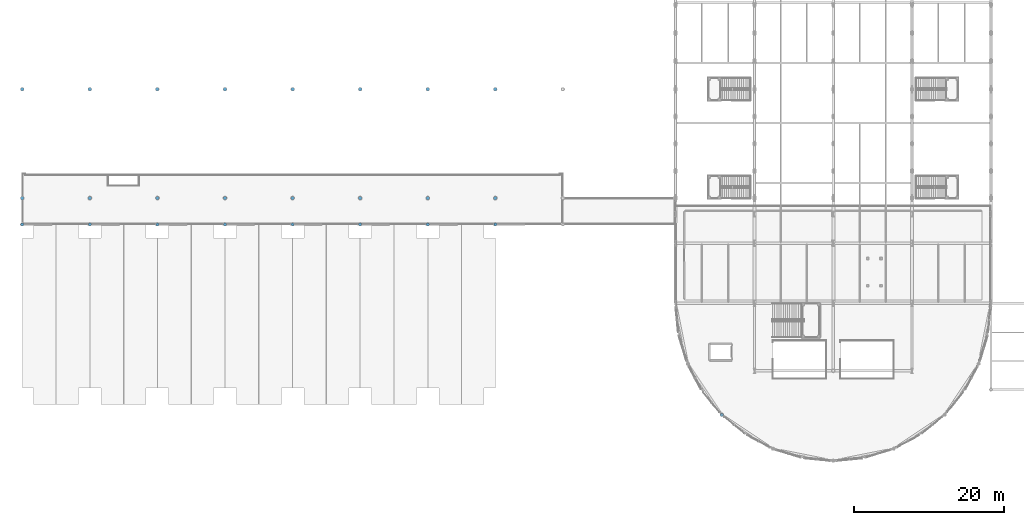
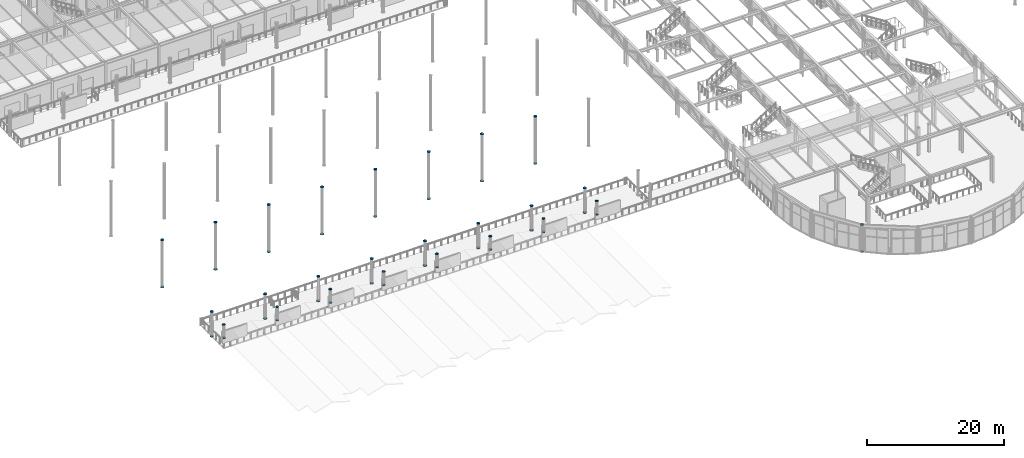
# One storey, part 92 of 143: 50 discrete accessories.
"""IFC4 building model written with IfcOpenShell, lengths in metres."""

import ifcopenshell
import ifcopenshell.guid

model = None  # the IFC model being written
_history = None  # IfcOwnerHistory: only IFC2X3 demands one
_inside = {}  # id of a spatial element -> (the spatial element, [elements in it])
_under = {}  # id of a project, library or spatial element -> (it, [spatial elements below it])
_declared = {}  # id of a project -> (the project, [libraries it declares])
_typed = {}  # id of a type object -> (the type object, [elements of that type])
_made_of = {}  # id of a material, layer set ... -> (it, [elements and type objects made of it])


def new_model(schema):
    """Start an empty IFC model of exactly this schema.

    Asked for "IFC4X3", IfcOpenShell would pick the latest addendum, in which some entities
    have other attributes; the version numbers below select the first issue.
    IFC2X3 requires an IfcOwnerHistory on every rooted entity: one is made here for all.
    """
    global model, _history
    if schema == "IFC4X3":
        model = ifcopenshell.file(schema_version=(4, 3, 0, 0))
    else:
        model = ifcopenshell.file(schema=schema)
    _inside.clear()
    _under.clear()
    _declared.clear()
    _typed.clear()
    _made_of.clear()
    _history = None
    if model.schema == "IFC2X3":
        org = make("IfcOrganization", Name="unknown")
        user = make(
            "IfcPersonAndOrganization",
            ThePerson=make("IfcPerson", FamilyName="unknown"),
            TheOrganization=org,
        )
        app = make(
            "IfcApplication",
            ApplicationDeveloper=org,
            Version="unknown",
            ApplicationFullName="unknown",
            ApplicationIdentifier="unknown",
        )
        _history = make(
            "IfcOwnerHistory",
            OwningUser=user,
            OwningApplication=app,
            ChangeAction="ADDED",
            CreationDate=0,
        )
    return model


def make(cls, **values):
    """One entity of the class cls with the attributes given. An attribute that is None is left unset."""
    return model.create_entity(
        cls, **{name: value for name, value in values.items() if value is not None}
    )


def rooted(cls, **values):
    """An entity with a GlobalId (a new one), such as an element, a storey or a relation."""
    return make(cls, GlobalId=ifcopenshell.guid.new(), OwnerHistory=_history, **values)


def si_unit(unit_type, name, prefix=None):
    """IfcSIUnit, for example si_unit("LENGTHUNIT", "METRE", prefix="MILLI")."""
    return make("IfcSIUnit", UnitType=unit_type, Prefix=prefix, Name=name)


def assignment(units):
    """IfcUnitAssignment: the units of a project."""
    return None if units is None else make("IfcUnitAssignment", Units=units)


def point(xyz):
    """IfcCartesianPoint."""
    return None if xyz is None else make("IfcCartesianPoint", Coordinates=xyz)


def direction(xyz):
    """IfcDirection."""
    return None if xyz is None else make("IfcDirection", DirectionRatios=xyz)


def frame(location, z_axis=None, x_axis=None):
    """IfcAxis2Placement3D, a coordinate frame: its origin and axes. An axis left out is left unset."""
    return make(
        "IfcAxis2Placement3D",
        Location=point(location),
        Axis=direction(z_axis),
        RefDirection=direction(x_axis),
    )


def frame_2d(location, x_axis=None):
    """IfcAxis2Placement2D, a coordinate frame in the plane: its origin and x axis."""
    return make(
        "IfcAxis2Placement2D", Location=point(location), RefDirection=direction(x_axis)
    )


def origin():
    """The frame at (0, 0, 0) with its axes left unset."""
    return frame((0.0, 0.0, 0.0))


def origin_2d():
    """The frame at (0, 0) in the plane with its x axis left unset."""
    return frame_2d((0.0, 0.0))


def place(relative_to, where):
    """IfcLocalPlacement: puts the frame where relative to a parent placement (None: the world)."""
    return make(
        "IfcLocalPlacement", PlacementRelTo=relative_to, RelativePlacement=where
    )


def context(
    kind, dimensions, precision=None, world=None, true_north=None, identifier=None
):
    """IfcGeometricRepresentationContext, for example the 3D "Model" context."""
    return make(
        "IfcGeometricRepresentationContext",
        ContextIdentifier=identifier,
        ContextType=kind,
        CoordinateSpaceDimension=dimensions,
        Precision=precision,
        WorldCoordinateSystem=world,
        TrueNorth=true_north,
    )


def subcontext(parent, identifier, kind, view, scale=None):
    """IfcGeometricRepresentationSubContext, for example "Body" below "Model"."""
    return make(
        "IfcGeometricRepresentationSubContext",
        ContextIdentifier=identifier,
        ContextType=kind,
        ParentContext=parent,
        TargetScale=scale,
        TargetView=view,
    )


def project(units=None, contexts=None):
    """IfcProject with its units and contexts."""
    return rooted(
        "IfcProject",
        Name="project",
        RepresentationContexts=contexts,
        UnitsInContext=assignment(units),
    )


def spatial(cls, under=None, at=None, **own):
    """A site, building, storey or space (cls), placed at a placement, below another one or the project."""
    s = rooted(cls, ObjectPlacement=at, **own)
    if under is not None:
        _under.setdefault(under.id(), (under, []))[1].append(s)
    return s


def profile(cls, at=None, kind="AREA", **sizes):
    """A parametric profile (cls). Its sizes go by their IFC names, for example OverallWidth=200.0."""
    return make(cls, ProfileType=kind, Position=at, **sizes)


def circle(**sizes):
    """IfcCircleProfileDef."""
    return profile("IfcCircleProfileDef", **sizes)


def extrude(swept, where, along, depth):
    """IfcExtrudedAreaSolid: the profile swept, set in the frame where, extruded along a direction by depth."""
    return make(
        "IfcExtrudedAreaSolid",
        SweptArea=swept,
        Position=where,
        ExtrudedDirection=direction(along),
        Depth=depth,
    )


def shape(context_of_items, identifier, shape_type, items):
    """IfcShapeRepresentation: the items that make up one representation, for example the "Body"."""
    return make(
        "IfcShapeRepresentation",
        ContextOfItems=context_of_items,
        RepresentationIdentifier=identifier,
        RepresentationType=shape_type,
        Items=items,
    )


def material(Name=None, Category=None):
    """IfcMaterial."""
    return make("IfcMaterial", Name=Name, Category=Category)


def made_of(thing, what):
    """Note that an element or type object is made of a material, layer set ...; save() writes the relation."""
    if what is not None:
        _made_of.setdefault(what.id(), (what, []))[1].append(thing)
    return thing


def element(
    cls,
    number,
    at=None,
    inside=None,
    cuts=None,
    type_object=None,
    material=None,
    context=None,
    identifier="Body",
    shape_type=None,
    held_by="IfcProductDefinitionShape",
    body=None,
    shapes=None,
    **own,
):
    """One element of the class cls, such as IfcWall. Its Tag is "e" and its number.

    at: its placement. inside: the storey or other place that contains it. cuts: it is an
    opening in that element (IfcRelVoidsElement). A single representation is given by context,
    identifier, shape_type and body (its items); several are given by shapes. held_by: the class
    of the entity that holds the representations. save() writes the other relations.
    """
    e = rooted(cls, Tag="e%d" % number, ObjectPlacement=at, **own)
    if body is not None:
        shapes = [shape(context, identifier, shape_type, body)]
    if shapes is not None:
        e.Representation = make(held_by, Representations=shapes)
    if inside is not None:
        _inside.setdefault(inside.id(), (inside, []))[1].append(e)
    if cuts is not None:
        rooted(
            "IfcRelVoidsElement", RelatingBuildingElement=cuts, RelatedOpeningElement=e
        )
    if type_object is not None:
        _typed.setdefault(type_object.id(), (type_object, []))[1].append(e)
    return made_of(e, material)


def aggregate(whole, parts):
    """IfcRelAggregates: a whole, such as a stair, and the parts it consists of."""
    return rooted("IfcRelAggregates", RelatingObject=whole, RelatedObjects=parts)


def save(model, path):
    """Write the relations noted so far, then the file.

    IfcRelAggregates (storeys below a building ...), IfcRelContainedInSpatialStructure (elements
    in a storey), IfcRelDefinesByType, IfcRelAssociatesMaterial and IfcRelDeclares: one each for
    every whole, place, type object, material and project.
    """
    for whole, parts in _under.values():
        aggregate(whole, parts)
    for where, things in _inside.values():
        rooted(
            "IfcRelContainedInSpatialStructure",
            RelatedElements=things,
            RelatingStructure=where,
        )
    for kind, things in _typed.values():
        rooted("IfcRelDefinesByType", RelatedObjects=things, RelatingType=kind)
    for what, things in _made_of.values():
        rooted("IfcRelAssociatesMaterial", RelatedObjects=things, RelatingMaterial=what)
    for by, libraries in _declared.values():
        rooted("IfcRelDeclares", RelatingContext=by, RelatedDefinitions=libraries)
    model.write(path)


model = new_model("IFC4")

# Units and contexts
model_context = context("Model", 3, precision=1e-05, world=origin(), true_north=direction((0.0, 1.0)))
body_context = subcontext(model_context, "Body", "Model", "MODEL_VIEW")
ifc_project = project(units=[si_unit("LENGTHUNIT", "METRE"), si_unit("AREAUNIT", "SQUARE_METRE"), si_unit("VOLUMEUNIT", "CUBIC_METRE"), si_unit("PLANEANGLEUNIT", "RADIAN"), si_unit("MASSUNIT", "GRAM", prefix="KILO")], contexts=[model_context])

# Site, building, storey
site_placement = place(None, origin())
site = spatial("IfcSite", under=ifc_project, at=site_placement, CompositionType="ELEMENT")
building_placement = place(site_placement, origin())
building = spatial("IfcBuilding", under=site, at=building_placement, Name="Marlcrest Central Station", CompositionType="ELEMENT")
storey_placement = place(building_placement, frame((0.0, 0.0, 4.800048828125)))
storey = spatial("IfcBuildingStorey", under=building, at=storey_placement, Name="L01", CompositionType="ELEMENT", Elevation=4.800048828125)

# Discrete accessories
ifc_material = material(Name="Steel S355", Category="steel")
for number, where, z_axis, x_axis, name in (
    (1, (0.0, 33.0, 1.824951171875), (0.0, 0.0, 1.0), (1.0, 0.0, 0.0), "endcap-col-SC-10-L01-0403-s"),
    (2, (0.0, 33.0, 4.175048828125), (0.0, 0.0, 1.0), (1.0, 0.0, 0.0), "endcap-col-SC-10-L01-0403-e"),
    (3, (9.0, 33.0, 1.824951171875), (0.0, 0.0, 1.0), (1.0, 0.0, 0.0), "endcap-col-SC-10-L01-0404-s"),
    (4, (9.0, 33.0, 4.175048828125), (0.0, 0.0, 1.0), (1.0, 0.0, 0.0), "endcap-col-SC-10-L01-0404-e"),
    (5, (18.0, 33.0, 1.824951171875), (0.0, 0.0, 1.0), (1.0, 0.0, 0.0), "endcap-col-SC-10-L01-0405-s"),
    (6, (18.0, 33.0, 4.175048828125), (0.0, 0.0, 1.0), (1.0, 0.0, 0.0), "endcap-col-SC-10-L01-0405-e"),
    (7, (27.0, 33.0, 1.824951171875), (0.0, 0.0, 1.0), (1.0, 0.0, 0.0), "endcap-col-SC-10-L01-0406-s"),
    (8, (27.0, 33.0, 4.175048828125), (0.0, 0.0, 1.0), (1.0, 0.0, 0.0), "endcap-col-SC-10-L01-0406-e"),
    (9, (36.0, 33.0, 1.824951171875), (0.0, 0.0, 1.0), (1.0, 0.0, 0.0), "endcap-col-SC-10-L01-0407-s"),
    (10, (36.0, 33.0, 4.175048828125), (0.0, 0.0, 1.0), (1.0, 0.0, 0.0), "endcap-col-SC-10-L01-0407-e"),
    (11, (45.0, 33.0, 1.824951171875), (0.0, 0.0, 1.0), (1.0, 0.0, 0.0), "endcap-col-SC-10-L01-0408-s"),
    (12, (45.0, 33.0, 4.175048828125), (0.0, 0.0, 1.0), (1.0, 0.0, 0.0), "endcap-col-SC-10-L01-0408-e"),
    (13, (54.0, 33.0, 1.824951171875), (0.0, 0.0, 1.0), (1.0, 0.0, 0.0), "endcap-col-SC-10-L01-0409-s"),
    (14, (54.0, 33.0, 4.175048828125), (0.0, 0.0, 1.0), (1.0, 0.0, 0.0), "endcap-col-SC-10-L01-0409-e"),
    (15, (63.0, 33.0, 1.824951171875), (0.0, 0.0, 1.0), (1.0, 0.0, 0.0), "endcap-col-SC-10-L01-0410-s"),
    (16, (63.0, 33.0, 4.175048828125), (0.0, 0.0, 1.0), (1.0, 0.0, 0.0), "endcap-col-SC-10-L01-0410-e"),
):
    element("IfcDiscreteAccessory", number, at=place(storey_placement, frame(where, z_axis=z_axis, x_axis=x_axis)), inside=storey, material=ifc_material, Name=name, ObjectType="END_CAP_PLATE", PredefinedType="BRACKET", context=body_context, shape_type="SweptSolid", body=[
        extrude(circle(Radius=0.211181640625, at=origin_2d()), origin(), (0.0, 0.0, 1.0), 0.0400390625),
    ])
for number, where, z_axis, x_axis, name in (
    (17, (0.0, 36.5, -0.014892578125), (0.0, 0.0, 1.0), (1.0, 0.0, 0.0), "endcap-col-SC-11-L01-0413-s"),
    (18, (0.0, 36.5, 4.375), (0.0, 0.0, 1.0), (1.0, 0.0, 0.0), "endcap-col-SC-11-L01-0413-e"),
    (19, (0.0, 51.0, -0.014892578125), (0.0, 0.0, 1.0), (1.0, 0.0, 0.0), "endcap-col-SC-11-L01-0415-s"),
    (20, (0.0, 51.0, 8.37890625), (0.0, 0.0, 1.0), (1.0, 0.0, 0.0), "endcap-col-SC-11-L01-0415-e"),
    (21, (9.0, 36.5, -0.014892578125), (0.0, 0.0, 1.0), (1.0, 0.0, 0.0), "endcap-col-SC-11-L01-0423-s"),
    (22, (9.0, 36.5, 4.375), (0.0, 0.0, 1.0), (1.0, 0.0, 0.0), "endcap-col-SC-11-L01-0423-e"),
    (23, (9.0, 51.0, -0.014892578125), (0.0, 0.0, 1.0), (1.0, 0.0, 0.0), "endcap-col-SC-11-L01-0425-s"),
    (24, (9.0, 51.0, 8.37890625), (0.0, 0.0, 1.0), (1.0, 0.0, 0.0), "endcap-col-SC-11-L01-0425-e"),
    (25, (18.0, 36.5, -0.014892578125), (0.0, 0.0, 1.0), (1.0, 0.0, 0.0), "endcap-col-SC-11-L01-0433-s"),
    (26, (18.0, 36.5, 4.375), (0.0, 0.0, 1.0), (1.0, 0.0, 0.0), "endcap-col-SC-11-L01-0433-e"),
    (27, (18.0, 51.0, -0.014892578125), (0.0, 0.0, 1.0), (1.0, 0.0, 0.0), "endcap-col-SC-11-L01-0435-s"),
    (28, (18.0, 51.0, 8.37890625), (0.0, 0.0, 1.0), (1.0, 0.0, 0.0), "endcap-col-SC-11-L01-0435-e"),
    (29, (27.0, 36.5, -0.014892578125), (0.0, 0.0, 1.0), (1.0, 0.0, 0.0), "endcap-col-SC-11-L01-0443-s"),
    (30, (27.0, 36.5, 4.375), (0.0, 0.0, 1.0), (1.0, 0.0, 0.0), "endcap-col-SC-11-L01-0443-e"),
    (31, (27.0, 51.0, -0.014892578125), (0.0, 0.0, 1.0), (1.0, 0.0, 0.0), "endcap-col-SC-11-L01-0445-s"),
    (32, (27.0, 51.0, 8.37890625), (0.0, 0.0, 1.0), (1.0, 0.0, 0.0), "endcap-col-SC-11-L01-0445-e"),
    (33, (36.0, 36.5, -0.014892578125), (0.0, 0.0, 1.0), (1.0, 0.0, 0.0), "endcap-col-SC-11-L01-0453-s"),
    (34, (36.0, 36.5, 4.375), (0.0, 0.0, 1.0), (1.0, 0.0, 0.0), "endcap-col-SC-11-L01-0453-e"),
    (35, (36.0, 51.0, -0.014892578125), (0.0, 0.0, 1.0), (1.0, 0.0, 0.0), "endcap-col-SC-11-L01-0455-s"),
    (36, (36.0, 51.0, 8.37890625), (0.0, 0.0, 1.0), (1.0, 0.0, 0.0), "endcap-col-SC-11-L01-0455-e"),
    (37, (45.0, 36.5, -0.014892578125), (0.0, 0.0, 1.0), (1.0, 0.0, 0.0), "endcap-col-SC-11-L01-0463-s"),
    (38, (45.0, 36.5, 4.375), (0.0, 0.0, 1.0), (1.0, 0.0, 0.0), "endcap-col-SC-11-L01-0463-e"),
    (39, (45.0, 51.0, -0.014892578125), (0.0, 0.0, 1.0), (1.0, 0.0, 0.0), "endcap-col-SC-11-L01-0465-s"),
    (40, (45.0, 51.0, 8.37890625), (0.0, 0.0, 1.0), (1.0, 0.0, 0.0), "endcap-col-SC-11-L01-0465-e"),
    (41, (54.0, 36.5, -0.014892578125), (0.0, 0.0, 1.0), (1.0, 0.0, 0.0), "endcap-col-SC-11-L01-0473-s"),
    (42, (54.0, 36.5, 4.375), (0.0, 0.0, 1.0), (1.0, 0.0, 0.0), "endcap-col-SC-11-L01-0473-e"),
    (43, (54.0, 51.0, -0.014892578125), (0.0, 0.0, 1.0), (1.0, 0.0, 0.0), "endcap-col-SC-11-L01-0475-s"),
    (44, (54.0, 51.0, 8.37890625), (0.0, 0.0, 1.0), (1.0, 0.0, 0.0), "endcap-col-SC-11-L01-0475-e"),
    (45, (63.0, 36.5, -0.014892578125), (0.0, 0.0, 1.0), (1.0, 0.0, 0.0), "endcap-col-SC-11-L01-0483-s"),
    (46, (63.0, 36.5, 4.375), (0.0, 0.0, 1.0), (1.0, 0.0, 0.0), "endcap-col-SC-11-L01-0483-e"),
    (47, (63.0, 51.0, -0.014892578125), (0.0, 0.0, 1.0), (1.0, 0.0, 0.0), "endcap-col-SC-11-L01-0485-s"),
    (48, (63.0, 51.0, 8.37890625), (0.0, 0.0, 1.0), (1.0, 0.0, 0.0), "endcap-col-SC-11-L01-0485-e"),
):
    element("IfcDiscreteAccessory", number, at=place(storey_placement, frame(where, z_axis=z_axis, x_axis=x_axis)), inside=storey, material=ifc_material, Name=name, ObjectType="END_CAP_PLATE", PredefinedType="BRACKET", context=body_context, shape_type="SweptSolid", body=[
        extrude(circle(Radius=0.236572265625, at=origin_2d()), origin(), (0.0, 0.0, 1.0), 0.0400390625),
    ])
for number, where, z_axis, x_axis, name in (
    (49, (93.15087890625, 7.65087890625, -0.014892578125), (0.0, 0.0, 1.0), (1.0, 0.0, 0.0), "endcap-col-SC-10-L01-0792-s"),
    (50, (93.15087890625, 7.65087890625, 4.78515625), (0.0, 0.0, 1.0), (1.0, 0.0, 0.0), "endcap-col-SC-10-L01-0792-e"),
):
    element("IfcDiscreteAccessory", number, at=place(storey_placement, frame(where, z_axis=z_axis, x_axis=x_axis)), inside=storey, material=ifc_material, Name=name, ObjectType="END_CAP_PLATE", PredefinedType="BRACKET", context=body_context, shape_type="SweptSolid", body=[
        extrude(circle(Radius=0.211181640625, at=origin_2d()), origin(), (0.0, 0.0, 1.0), 0.0400390625),
    ])

save(model, "model.ifc")
